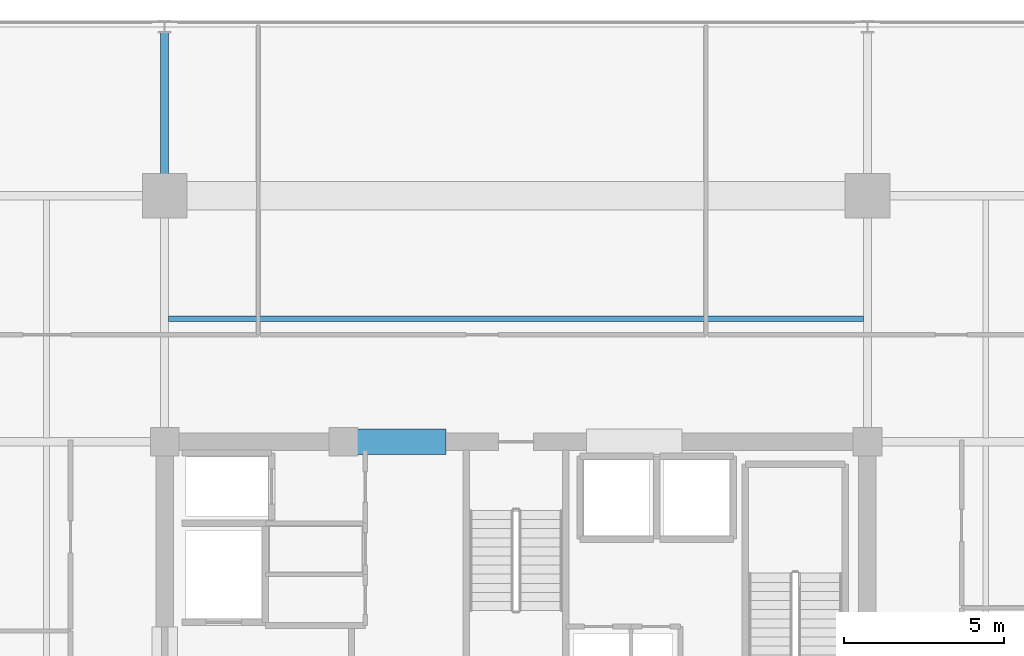
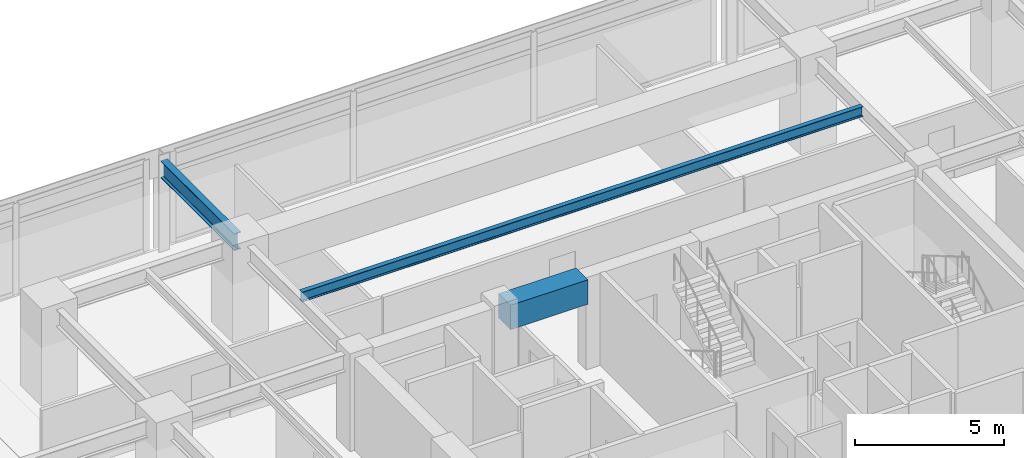
# One storey, part 7 of 23: 3 beams.
"""IFC4 building model written with IfcOpenShell, lengths in metres."""

from ifc_helpers import new_model, si_unit, direction, frame, origin, origin_2d, place, context, subcontext, project, spatial, rectangle, i_section, extrude, material, material_profile, profile_set, type_object, element, save


model = new_model("IFC4")

# Units and contexts
model_context = context("Model", 3, precision=1e-05, world=origin(), true_north=direction((0.0, 1.0)))
body_context = subcontext(model_context, "Body", "Model", "MODEL_VIEW")
ifc_project = project(units=[si_unit("LENGTHUNIT", "METRE"), si_unit("AREAUNIT", "SQUARE_METRE"), si_unit("VOLUMEUNIT", "CUBIC_METRE"), si_unit("PLANEANGLEUNIT", "RADIAN"), si_unit("MASSUNIT", "GRAM", prefix="KILO")], contexts=[model_context])

# Site, building, storey
site_placement = place(None, origin())
site = spatial("IfcSite", under=ifc_project, at=site_placement, CompositionType="ELEMENT")
building_placement = place(site_placement, origin())
building = spatial("IfcBuilding", under=site, at=building_placement, Name="Kovane Verandah Tower", CompositionType="ELEMENT")
storey_placement = place(building_placement, frame((0.0, 0.0, 221.199951171875)))
storey = spatial("IfcBuildingStorey", under=building, at=storey_placement, Name="L51", CompositionType="ELEMENT", Elevation=221.199951171875)

# Beams
ifc_material_1 = material(Name="Concrete C60/75", Category="concrete")
ifc_material_profile_1 = material_profile(ifc_material_1, rectangle(XDim=0.800048828125, YDim=1.0, at=origin_2d()), Name="RCB800x1000")
ifc_profile_set_1 = profile_set([ifc_material_profile_1], Name="Concrete C60/75")
beam_type_1 = type_object("IfcBeamType", Name="BM-LINTEL-800x1000", PredefinedType="LINTEL", material=ifc_profile_set_1)
beam_1_placement = place(storey_placement, frame((34.800048828125, 36.5, 3.275146484375), z_axis=(1.0, 0.0, 0.0), x_axis=(0.0, 1.0, 0.0)))
element("IfcBeam", 1, at=beam_1_placement, inside=storey, type_object=beam_type_1, Name="L51 Core Coupling Lintel CL-N1", PredefinedType="LINTEL", context=body_context, shape_type="SweptSolid", body=[
    extrude(rectangle(XDim=0.800048828125, YDim=1.0, at=origin_2d()), origin(), (0.0, 0.0, 1.0), 3.0),
])
ifc_material_2 = material(Name="Steel S355", Category="steel")
ifc_material_profile_2 = material_profile(ifc_material_2, i_section(OverallWidth=0.255859375, OverallDepth=0.69287109375, WebThickness=0.014404296875, FlangeThickness=0.023681640625, FilletRadius=0.01513671875, at=origin_2d()), Name="UB686x254x170")
ifc_profile_set_2 = profile_set([ifc_material_profile_2], Name="Steel S355")
beam_type_2 = type_object("IfcBeamType", Name="BM-UB686x170", PredefinedType="BEAM", material=ifc_profile_set_2)
beam_2_placement = place(storey_placement, frame((29.0, 44.3798828125, 3.41357421875), z_axis=(0.0, 1.0, 0.0), x_axis=(-1.0, 0.0, 0.0)))
element("IfcBeam", 2, at=beam_2_placement, inside=storey, type_object=beam_type_2, Name="L51 Primary Tower Girder G-VN1", PredefinedType="BEAM", context=body_context, shape_type="SweptSolid", body=[
    extrude(i_section(OverallWidth=0.255859375, OverallDepth=0.69287109375, WebThickness=0.014404296875, FlangeThickness=0.023681640625, FilletRadius=0.01513671875, at=origin_2d()), origin(), (0.0, 0.0, 1.0), 4.940185546875),
])
ifc_material_profile_3 = material_profile(ifc_material_2, i_section(OverallWidth=0.179443359375, OverallDepth=0.412841796875, WebThickness=0.009521484375, FlangeThickness=0.01611328125, FilletRadius=0.01025390625, at=origin_2d()), Name="UB406x178x74")
ifc_profile_set_3 = profile_set([ifc_material_profile_3], Name="Steel S355")
beam_type_3 = type_object("IfcBeamType", Name="JST-UB406x74", PredefinedType="JOIST", material=ifc_profile_set_3)
beam_3_placement = place(storey_placement, frame((29.1259765625, 40.35009765625, 3.568603515625), z_axis=(1.0, 0.0, 0.0), x_axis=(0.0, 1.0, 0.0)))
element("IfcBeam", 3, at=beam_3_placement, inside=storey, type_object=beam_type_3, Name="L51 Secondary Composite Joist J-N1", PredefinedType="JOIST", context=body_context, shape_type="SweptSolid", body=[
    extrude(i_section(OverallWidth=0.179443359375, OverallDepth=0.412841796875, WebThickness=0.009521484375, FlangeThickness=0.01611328125, FilletRadius=0.01025390625, at=origin_2d()), origin(), (0.0, 0.0, 1.0), 21.748046875),
])

save(model, "model.ifc")
